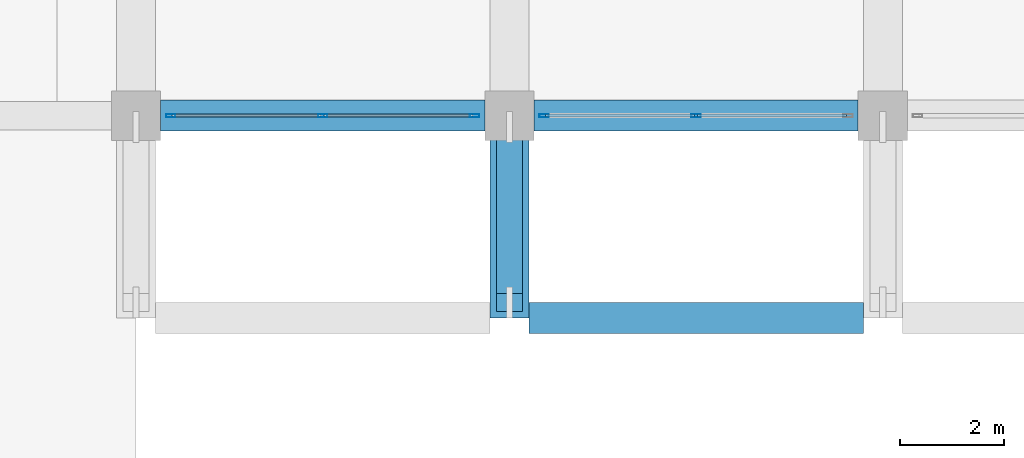
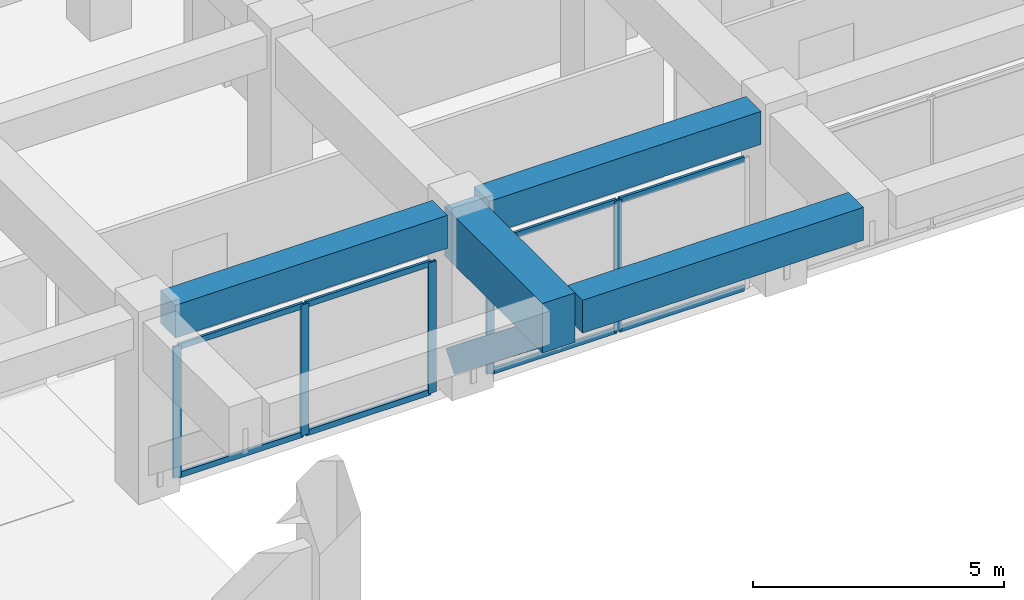
# One storey, part 3 of 54: 14 members, 4 beams, 2 elements without a shape of their own.
"""IFC4 building model written with IfcOpenShell, lengths in metres."""

from ifc_helpers import new_model, si_unit, direction, frame, origin, origin_2d, place, context, subcontext, project, spatial, rectangle, hollow_rectangle, extrude, material, material_profile, profile_set, type_object, element, aggregate, save


model = new_model("IFC4")

# Units and contexts
model_context = context("Model", 3, precision=1e-05, world=origin(), true_north=direction((0.0, 1.0)))
body_context = subcontext(model_context, "Body", "Model", "MODEL_VIEW")
ifc_project = project(units=[si_unit("LENGTHUNIT", "METRE"), si_unit("AREAUNIT", "SQUARE_METRE"), si_unit("VOLUMEUNIT", "CUBIC_METRE"), si_unit("PLANEANGLEUNIT", "RADIAN"), si_unit("MASSUNIT", "GRAM", prefix="KILO")], contexts=[model_context])

# Site, building, storey
site_placement = place(None, origin())
site = spatial("IfcSite", under=ifc_project, at=site_placement, CompositionType="ELEMENT")
building_placement = place(site_placement, origin())
building = spatial("IfcBuilding", under=site, at=building_placement, Name="Kazehaya Institute of Natural Sciences", CompositionType="ELEMENT")
storey_placement = place(building_placement, frame((0.0, 0.0, 10.43994140625)))
storey = spatial("IfcBuildingStorey", under=building, at=storey_placement, Name="L02", CompositionType="ELEMENT", Elevation=10.43994140625)

# Beams
ifc_material_1 = material(Name="Concrete Fc36", Category="concrete")
ifc_material_profile_1 = material_profile(ifc_material_1, rectangle(XDim=0.60009765625, YDim=0.800048828125, at=origin_2d()), Name="RC-600x800")
ifc_profile_set_1 = profile_set([ifc_material_profile_1], Name="Concrete Fc36")
beam_type_1 = type_object("IfcBeamType", Name="BM-G-600x800", PredefinedType="BEAM", material=ifc_profile_set_1)
beam_1_placement = place(storey_placement, frame((62.175048828125, 10.10009765625, 4.010009765625), z_axis=(1.0, 0.0, 0.0), x_axis=(0.0, 1.0, 0.0)))
element("IfcBeam", 1, at=beam_1_placement, inside=storey, type_object=beam_type_1, Name="L02 primary X girder BMX-L02-618-101", PredefinedType="BEAM", context=body_context, shape_type="SweptSolid", body=[
    extrude(rectangle(XDim=0.60009765625, YDim=0.800048828125, at=origin_2d()), origin(), (0.0, 0.0, 1.0), 6.449951171875),
])
for number, where, z_axis, x_axis, name in (
    (2, (55.074951171875, 14.0, 4.010009765625), (1.0, 0.0, 0.0), (0.0, 1.0, 0.0), "L02 primary X girder BMX-L02-546-140"),
    (3, (62.27490234375, 14.0, 4.010009765625), (1.0, 0.0, 0.0), (0.0, 1.0, 0.0), "L02 primary X girder BMX-L02-618-140"),
):
    element("IfcBeam", number, at=place(storey_placement, frame(where, z_axis=z_axis, x_axis=x_axis)), inside=storey, type_object=beam_type_1, Name=name, PredefinedType="BEAM", context=body_context, shape_type="SweptSolid", body=[
        extrude(rectangle(XDim=0.60009765625, YDim=0.800048828125, at=origin_2d()), origin(), (0.0, 0.0, 1.0), 6.25),
    ])
ifc_material_2 = material(Name="Concrete Fc42", Category="concrete")
ifc_material_profile_2 = material_profile(ifc_material_2, rectangle(XDim=0.75, YDim=1.199951171875, at=origin_2d()), Name="RC-750x1200")
ifc_profile_set_2 = profile_set([ifc_material_profile_2], Name="Concrete Fc42")
beam_type_2 = type_object("IfcBeamType", Name="BM-TG-750x1200", PredefinedType="BEAM", material=ifc_profile_set_2)
beam_2_placement = place(storey_placement, frame((61.800048828125, 10.10009765625, 3.81005859375), z_axis=(0.0, 1.0, 0.0), x_axis=(-1.0, 0.0, 0.0)))
element("IfcBeam", 4, at=beam_2_placement, inside=storey, type_object=beam_type_2, Name="L02 cantilever transfer girder 1201", PredefinedType="BEAM", context=body_context, shape_type="SweptSolid", body=[
    extrude(rectangle(XDim=0.75, YDim=1.199951171875, at=origin_2d()), origin(), (0.0, 0.0, 1.0), 3.89990234375),
])

# Curtain wall, members
ifc_material_3 = material(Name="Aluminium alloy A6063S-T5", Category="aluminium")
curtain_wall_type = type_object("IfcCurtainWallType", Name="CW-SYS-03", PredefinedType="NOTDEFINED", material=ifc_material_3)
curtain_wall_1_placement = place(storey_placement, origin())
curtain_wall_1 = element("IfcCurtainWall", 5, at=curtain_wall_1_placement, inside=storey, type_object=curtain_wall_type, Name="L02 unitised curtain wall CW-L02-055", PredefinedType="NOTDEFINED")
ifc_material_profile_3 = material_profile(ifc_material_3, hollow_rectangle(XDim=0.06005859375, YDim=0.179931640625, WallThickness=0.00390625, at=origin_2d()), Name="ALU-60x180x4")
ifc_profile_set_3 = profile_set([ifc_material_profile_3], Name="Aluminium alloy A6063S-T5")
member_type_1 = type_object("IfcMemberType", Name="CWM-180", PredefinedType="MULLION", material=ifc_profile_set_3)
member_1_placement = place(storey_placement, frame((65.39990234375, 14.0, 0.0), z_axis=(0.0, 0.0, 1.0), x_axis=(0.0, -1.0, 0.0)))
member_1 = element("IfcMember", 6, at=member_1_placement, type_object=member_type_1, Name="CW03 mullion 2", PredefinedType="MULLION", context=body_context, shape_type="SweptSolid", body=[
    extrude(hollow_rectangle(XDim=0.06005859375, YDim=0.179931640625, WallThickness=0.00390625, at=origin_2d()), origin(), (0.0, 0.0, 1.0), 3.18017578125),
])
member_2_placement = place(storey_placement, frame((62.469970703125, 14.0, 0.0), z_axis=(0.0, 0.0, 1.0), x_axis=(0.0, -1.0, 0.0)))
member_2 = element("IfcMember", 7, at=member_2_placement, type_object=member_type_1, Name="CW03 mullion 3", PredefinedType="MULLION", context=body_context, shape_type="SweptSolid", body=[
    extrude(hollow_rectangle(XDim=0.06005859375, YDim=0.179931640625, WallThickness=0.00390625, at=origin_2d()), origin(), (0.0, 0.0, 1.0), 3.18017578125),
])

curtain_wall_2_placement = place(storey_placement, origin())
curtain_wall_2 = element("IfcCurtainWall", 8, at=curtain_wall_2_placement, inside=storey, type_object=curtain_wall_type, Name="L02 unitised curtain wall CW-L02-056", PredefinedType="NOTDEFINED")
member_3_placement = place(storey_placement, frame((61.1298828125, 14.0, 0.0), z_axis=(0.0, 0.0, 1.0), x_axis=(0.0, -1.0, 0.0)))
member_3 = element("IfcMember", 9, at=member_3_placement, type_object=member_type_1, Name="CW03 mullion 1", PredefinedType="MULLION", context=body_context, shape_type="SweptSolid", body=[
    extrude(hollow_rectangle(XDim=0.06005859375, YDim=0.179931640625, WallThickness=0.00390625, at=origin_2d()), origin(), (0.0, 0.0, 1.0), 3.18017578125),
])
member_4_placement = place(storey_placement, frame((58.199951171875, 14.0, 0.0), z_axis=(0.0, 0.0, 1.0), x_axis=(0.0, -1.0, 0.0)))
member_4 = element("IfcMember", 10, at=member_4_placement, type_object=member_type_1, Name="CW03 mullion 2", PredefinedType="MULLION", context=body_context, shape_type="SweptSolid", body=[
    extrude(hollow_rectangle(XDim=0.06005859375, YDim=0.179931640625, WallThickness=0.00390625, at=origin_2d()), origin(), (0.0, 0.0, 1.0), 3.18017578125),
])
member_5_placement = place(storey_placement, frame((55.27001953125, 14.0, 0.0), z_axis=(0.0, 0.0, 1.0), x_axis=(0.0, -1.0, 0.0)))
member_5 = element("IfcMember", 11, at=member_5_placement, type_object=member_type_1, Name="CW03 mullion 3", PredefinedType="MULLION", context=body_context, shape_type="SweptSolid", body=[
    extrude(hollow_rectangle(XDim=0.06005859375, YDim=0.179931640625, WallThickness=0.00390625, at=origin_2d()), origin(), (0.0, 0.0, 1.0), 3.18017578125),
])

# Member
ifc_material_profile_4 = material_profile(ifc_material_3, hollow_rectangle(XDim=0.06005859375, YDim=0.139892578125, WallThickness=0.00341796875, at=origin_2d()), Name="ALU-60x140x3.5")
ifc_profile_set_4 = profile_set([ifc_material_profile_4], Name="Aluminium alloy A6063S-T5")
member_type_2 = type_object("IfcMemberType", Name="CWT-140", PredefinedType="USERDEFINED", material=ifc_profile_set_4)
member_6_placement = place(storey_placement, frame((68.300048828125, 14.0, 0.030029296875), z_axis=(-1.0, 0.0, 0.0), x_axis=(0.0, -1.0, 0.0)))
member_6 = element("IfcMember", 12, at=member_6_placement, type_object=member_type_2, Name="CW03 transom 1.1", ObjectType="TRANSOM", PredefinedType="USERDEFINED", context=body_context, shape_type="SweptSolid", body=[
    extrude(hollow_rectangle(XDim=0.06005859375, YDim=0.139892578125, WallThickness=0.00341796875, at=origin_2d()), origin(), (0.0, 0.0, 1.0), 2.8701171875),
])

member_7_placement = place(storey_placement, frame((68.300048828125, 14.0, 3.150146484375), z_axis=(-1.0, 0.0, 0.0), x_axis=(0.0, -1.0, 0.0)))
member_7 = element("IfcMember", 13, at=member_7_placement, type_object=member_type_2, Name="CW03 transom 1.2", ObjectType="TRANSOM", PredefinedType="USERDEFINED", context=body_context, shape_type="SweptSolid", body=[
    extrude(hollow_rectangle(XDim=0.06005859375, YDim=0.139892578125, WallThickness=0.00341796875, at=origin_2d()), origin(), (0.0, 0.0, 1.0), 2.8701171875),
])

member_8_placement = place(storey_placement, frame((65.3701171875, 14.0, 0.030029296875), z_axis=(-1.0, 0.0, 0.0), x_axis=(0.0, -1.0, 0.0)))
member_8 = element("IfcMember", 14, at=member_8_placement, type_object=member_type_2, Name="CW03 transom 2.1", ObjectType="TRANSOM", PredefinedType="USERDEFINED", context=body_context, shape_type="SweptSolid", body=[
    extrude(hollow_rectangle(XDim=0.06005859375, YDim=0.139892578125, WallThickness=0.00341796875, at=origin_2d()), origin(), (0.0, 0.0, 1.0), 2.8701171875),
])

member_9_placement = place(storey_placement, frame((65.3701171875, 14.0, 3.150146484375), z_axis=(-1.0, 0.0, 0.0), x_axis=(0.0, -1.0, 0.0)))
member_9 = element("IfcMember", 15, at=member_9_placement, type_object=member_type_2, Name="CW03 transom 2.2", ObjectType="TRANSOM", PredefinedType="USERDEFINED", context=body_context, shape_type="SweptSolid", body=[
    extrude(hollow_rectangle(XDim=0.06005859375, YDim=0.139892578125, WallThickness=0.00341796875, at=origin_2d()), origin(), (0.0, 0.0, 1.0), 2.8701171875),
])

aggregate(curtain_wall_1, [member_1, member_2, member_6, member_7, member_8, member_9])

member_10_placement = place(storey_placement, frame((61.10009765625, 14.0, 0.030029296875), z_axis=(-1.0, 0.0, 0.0), x_axis=(0.0, -1.0, 0.0)))
member_10 = element("IfcMember", 16, at=member_10_placement, type_object=member_type_2, Name="CW03 transom 1.1", ObjectType="TRANSOM", PredefinedType="USERDEFINED", context=body_context, shape_type="SweptSolid", body=[
    extrude(hollow_rectangle(XDim=0.06005859375, YDim=0.139892578125, WallThickness=0.00341796875, at=origin_2d()), origin(), (0.0, 0.0, 1.0), 2.8701171875),
])

member_11_placement = place(storey_placement, frame((61.10009765625, 14.0, 3.150146484375), z_axis=(-1.0, 0.0, 0.0), x_axis=(0.0, -1.0, 0.0)))
member_11 = element("IfcMember", 17, at=member_11_placement, type_object=member_type_2, Name="CW03 transom 1.2", ObjectType="TRANSOM", PredefinedType="USERDEFINED", context=body_context, shape_type="SweptSolid", body=[
    extrude(hollow_rectangle(XDim=0.06005859375, YDim=0.139892578125, WallThickness=0.00341796875, at=origin_2d()), origin(), (0.0, 0.0, 1.0), 2.8701171875),
])

member_12_placement = place(storey_placement, frame((58.169921875, 14.0, 0.030029296875), z_axis=(-1.0, 0.0, 0.0), x_axis=(0.0, -1.0, 0.0)))
member_12 = element("IfcMember", 18, at=member_12_placement, type_object=member_type_2, Name="CW03 transom 2.1", ObjectType="TRANSOM", PredefinedType="USERDEFINED", context=body_context, shape_type="SweptSolid", body=[
    extrude(hollow_rectangle(XDim=0.06005859375, YDim=0.139892578125, WallThickness=0.00341796875, at=origin_2d()), origin(), (0.0, 0.0, 1.0), 2.869873046875),
])

member_13_placement = place(storey_placement, frame((58.169921875, 14.0, 3.150146484375), z_axis=(-1.0, 0.0, 0.0), x_axis=(0.0, -1.0, 0.0)))
member_13 = element("IfcMember", 19, at=member_13_placement, type_object=member_type_2, Name="CW03 transom 2.2", ObjectType="TRANSOM", PredefinedType="USERDEFINED", context=body_context, shape_type="SweptSolid", body=[
    extrude(hollow_rectangle(XDim=0.06005859375, YDim=0.139892578125, WallThickness=0.00341796875, at=origin_2d()), origin(), (0.0, 0.0, 1.0), 2.869873046875),
])

aggregate(curtain_wall_2, [member_3, member_4, member_5, member_10, member_11, member_12, member_13])

ifc_material_profile_5 = material_profile(ifc_material_2, rectangle(XDim=0.5, YDim=0.550048828125, at=origin_2d()), Name="RC-500x550")
ifc_profile_set_5 = profile_set([ifc_material_profile_5], Name="Concrete Fc42")
member_type_3 = type_object("IfcMemberType", Name="MEM-STRUT-RC500", PredefinedType="BRACE", material=ifc_profile_set_5)
member_14_placement = place(storey_placement, frame((61.800048828125, 14.0, 0.60009765625), z_axis=(0.0, -0.783008919264, 0.622010476079), x_axis=(1.0, 0.0, 0.0)))
element("IfcMember", 20, at=member_14_placement, inside=storey, type_object=member_type_3, Name="L02 raked cantilever strut 002", PredefinedType="BRACE", context=body_context, shape_type="SweptSolid", body=[
    extrude(rectangle(XDim=0.5, YDim=0.550048828125, at=origin_2d()), origin(), (0.0, 0.0, 1.0), 4.59765625),
])

save(model, "model.ifc")
